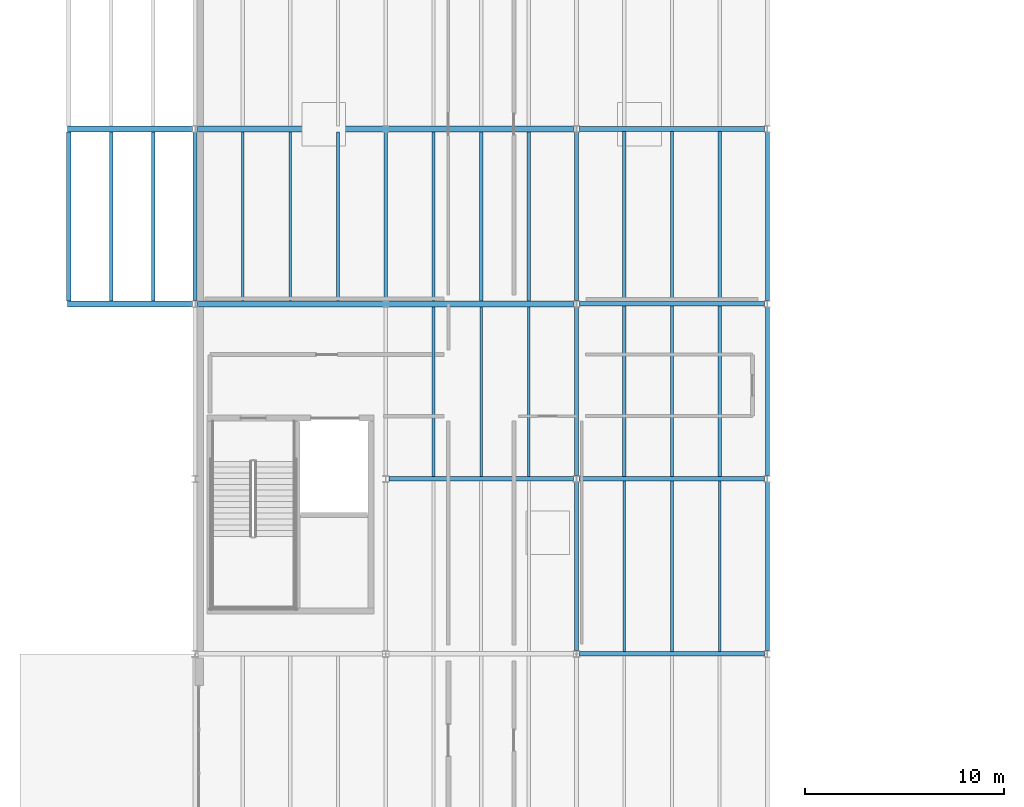
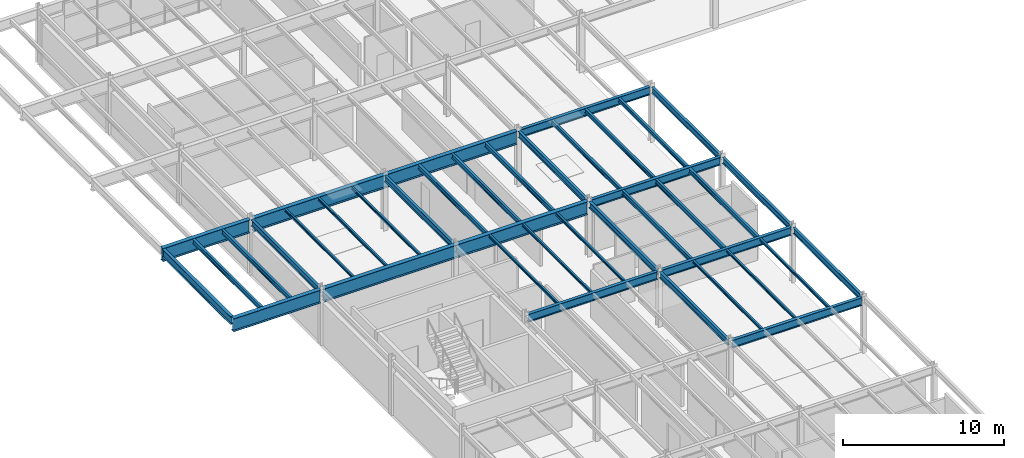
# One storey, part 22 of 77: 38 beams.
"""IFC4 building model written with IfcOpenShell, lengths in metres."""

from ifc_helpers import new_model, si_unit, direction, frame, origin, origin_2d, place, context, subcontext, project, spatial, i_section, extrude, material, material_profile, profile_set, type_object, element, save


model = new_model("IFC4")

# Units and contexts
model_context = context("Model", 3, precision=1e-05, world=origin(), true_north=direction((0.0, 1.0)))
body_context = subcontext(model_context, "Body", "Model", "MODEL_VIEW")
ifc_project = project(units=[si_unit("LENGTHUNIT", "METRE"), si_unit("AREAUNIT", "SQUARE_METRE"), si_unit("VOLUMEUNIT", "CUBIC_METRE"), si_unit("PLANEANGLEUNIT", "RADIAN"), si_unit("MASSUNIT", "GRAM", prefix="KILO")], contexts=[model_context])

# Site, building, storey
site_placement = place(None, origin())
site = spatial("IfcSite", under=ifc_project, at=site_placement, CompositionType="ELEMENT")
building_placement = place(site_placement, origin())
building = spatial("IfcBuilding", under=site, at=building_placement, Name="Sarnbrook Museum", CompositionType="ELEMENT")
storey_placement = place(building_placement, frame((0.0, 0.0, 5.60009765625)))
storey = spatial("IfcBuildingStorey", under=building, at=storey_placement, Name="L01", CompositionType="ELEMENT", Elevation=5.60009765625)

# Beams
ifc_material_1 = material(Name="Structural Steel Grade 300PLUS (AS/NZS 3679.1, fy = 280 MPa for 17 < t <= 40 mm, 300 MPa for t <= 17 mm)", Category="steel")
ifc_material_profile_1 = material_profile(ifc_material_1, i_section(OverallWidth=0.18994140625, OverallDepth=0.45703125, WebThickness=0.009033203125, FlangeThickness=0.014404296875, FilletRadius=0.011474609375, at=origin_2d()), Name="460UB74.6")
ifc_profile_set_1 = profile_set([ifc_material_profile_1], Name="Structural Steel Grade 300PLUS (AS/NZS 3679.1, fy = 280 MPa for 17 < t <= 40 mm, 300 MPa for t <= 17 mm)")
beam_type_1 = type_object("IfcBeamType", Name="BM-UB460", PredefinedType="BEAM", material=ifc_profile_set_1)
for number, where, z_axis, x_axis, name in (
    (1, (13.60009765625, 56.96337890625, 3.991455078125), (0.0, 1.0, 0.0), (-1.0, 0.0, 0.0), "Girder 2:G-H L01"),
    (2, (23.199951171875, 56.96337890625, 3.991455078125), (0.0, 1.0, 0.0), (-1.0, 0.0, 0.0), "Girder 3:G-H L01"),
):
    element("IfcBeam", number, at=place(storey_placement, frame(where, z_axis=z_axis, x_axis=x_axis)), inside=storey, type_object=beam_type_1, Name=name, PredefinedType="BEAM", context=body_context, shape_type="SweptSolid", body=[
        extrude(i_section(OverallWidth=0.18994140625, OverallDepth=0.45703125, WebThickness=0.009033203125, FlangeThickness=0.014404296875, FilletRadius=0.011474609375, at=origin_2d()), origin(), (0.0, 0.0, 1.0), 8.47314453125),
    ])
for number, where, z_axis, x_axis, name in (
    (3, (32.800048828125, 39.363525390625, 3.991455078125), (0.0, 1.0, 0.0), (-1.0, 0.0, 0.0), "Girder 4:E-F L01"),
    (4, (32.800048828125, 48.16357421875, 3.991455078125), (0.0, 1.0, 0.0), (-1.0, 0.0, 0.0), "Girder 4:F-G L01"),
):
    element("IfcBeam", number, at=place(storey_placement, frame(where, z_axis=z_axis, x_axis=x_axis)), inside=storey, type_object=beam_type_1, Name=name, PredefinedType="BEAM", context=body_context, shape_type="SweptSolid", body=[
        extrude(i_section(OverallWidth=0.18994140625, OverallDepth=0.45703125, WebThickness=0.009033203125, FlangeThickness=0.014404296875, FilletRadius=0.011474609375, at=origin_2d()), origin(), (0.0, 0.0, 1.0), 8.472900390625),
    ])
beam_1_placement = place(storey_placement, frame((32.800048828125, 56.96337890625, 3.991455078125), z_axis=(0.0, 1.0, 0.0), x_axis=(-1.0, 0.0, 0.0)))
element("IfcBeam", 5, at=beam_1_placement, inside=storey, type_object=beam_type_1, Name="Girder 4:G-H L01", PredefinedType="BEAM", context=body_context, shape_type="SweptSolid", body=[
    extrude(i_section(OverallWidth=0.18994140625, OverallDepth=0.45703125, WebThickness=0.009033203125, FlangeThickness=0.014404296875, FilletRadius=0.011474609375, at=origin_2d()), origin(), (0.0, 0.0, 1.0), 8.47314453125),
])
for number, where, z_axis, x_axis, name in (
    (6, (42.39990234375, 39.363525390625, 3.991455078125), (0.0, 1.0, 0.0), (-1.0, 0.0, 0.0), "Girder 5:E-F L01"),
    (7, (42.39990234375, 48.16357421875, 3.991455078125), (0.0, 1.0, 0.0), (-1.0, 0.0, 0.0), "Girder 5:F-G L01"),
):
    element("IfcBeam", number, at=place(storey_placement, frame(where, z_axis=z_axis, x_axis=x_axis)), inside=storey, type_object=beam_type_1, Name=name, PredefinedType="BEAM", context=body_context, shape_type="SweptSolid", body=[
        extrude(i_section(OverallWidth=0.18994140625, OverallDepth=0.45703125, WebThickness=0.009033203125, FlangeThickness=0.014404296875, FilletRadius=0.011474609375, at=origin_2d()), origin(), (0.0, 0.0, 1.0), 8.472900390625),
    ])
beam_2_placement = place(storey_placement, frame((42.39990234375, 56.96337890625, 3.991455078125), z_axis=(0.0, 1.0, 0.0), x_axis=(-1.0, 0.0, 0.0)))
element("IfcBeam", 8, at=beam_2_placement, inside=storey, type_object=beam_type_1, Name="Girder 5:G-H L01", PredefinedType="BEAM", context=body_context, shape_type="SweptSolid", body=[
    extrude(i_section(OverallWidth=0.18994140625, OverallDepth=0.45703125, WebThickness=0.009033203125, FlangeThickness=0.014404296875, FilletRadius=0.011474609375, at=origin_2d()), origin(), (0.0, 0.0, 1.0), 8.47314453125),
])
ifc_material_profile_2 = material_profile(ifc_material_1, i_section(OverallWidth=0.22802734375, OverallDepth=0.60693359375, WebThickness=0.01123046875, FlangeThickness=0.017333984375, FilletRadius=0.013916015625, at=origin_2d()), Name="610UB113")
ifc_profile_set_2 = profile_set([ifc_material_profile_2], Name="Structural Steel Grade 300PLUS (AS/NZS 3679.1, fy = 280 MPa for 17 < t <= 40 mm, 300 MPa for t <= 17 mm)")
beam_type_2 = type_object("IfcBeamType", Name="BM-UB610", PredefinedType="BEAM", material=ifc_profile_set_2)
beam_3_placement = place(storey_placement, frame((32.95556640625, 39.199951171875, 3.91650390625), z_axis=(1.0, 0.0, 0.0), x_axis=(0.0, 1.0, 0.0)))
element("IfcBeam", 9, at=beam_3_placement, inside=storey, type_object=beam_type_2, Name="Girder E:4-5 L01", PredefinedType="BEAM", context=body_context, shape_type="SweptSolid", body=[
    extrude(i_section(OverallWidth=0.22802734375, OverallDepth=0.60693359375, WebThickness=0.01123046875, FlangeThickness=0.017333984375, FilletRadius=0.013916015625, at=origin_2d()), origin(), (0.0, 0.0, 1.0), 9.288818359375),
])
beam_4_placement = place(storey_placement, frame((23.35546875, 48.0, 3.91650390625), z_axis=(1.0, 0.0, 0.0), x_axis=(0.0, 1.0, 0.0)))
element("IfcBeam", 10, at=beam_4_placement, inside=storey, type_object=beam_type_2, Name="Girder F:3-4 L01", PredefinedType="BEAM", context=body_context, shape_type="SweptSolid", body=[
    extrude(i_section(OverallWidth=0.22802734375, OverallDepth=0.60693359375, WebThickness=0.01123046875, FlangeThickness=0.017333984375, FilletRadius=0.013916015625, at=origin_2d()), origin(), (0.0, 0.0, 1.0), 9.2890625),
])
for number, where, z_axis, x_axis, name in (
    (11, (32.95556640625, 48.0, 3.91650390625), (1.0, 0.0, 0.0), (0.0, 1.0, 0.0), "Girder F:4-5 L01"),
    (12, (32.95556640625, 56.800048828125, 3.91650390625), (1.0, 0.0, 0.0), (0.0, 1.0, 0.0), "Girder G:4-5 L01"),
    (13, (32.95556640625, 65.60009765625, 3.91650390625), (1.0, 0.0, 0.0), (0.0, 1.0, 0.0), "Girder H:4-5 L01"),
):
    element("IfcBeam", number, at=place(storey_placement, frame(where, z_axis=z_axis, x_axis=x_axis)), inside=storey, type_object=beam_type_2, Name=name, PredefinedType="BEAM", context=body_context, shape_type="SweptSolid", body=[
        extrude(i_section(OverallWidth=0.22802734375, OverallDepth=0.60693359375, WebThickness=0.01123046875, FlangeThickness=0.017333984375, FilletRadius=0.013916015625, at=origin_2d()), origin(), (0.0, 0.0, 1.0), 9.288818359375),
    ])
beam_5_placement = place(storey_placement, frame((7.25, 56.949951171875, 3.91650390625), z_axis=(0.0, 1.0, 0.0), x_axis=(-1.0, 0.0, 0.0)))
element("IfcBeam", 14, at=beam_5_placement, inside=storey, type_object=beam_type_2, Name="Cantilever Gallery Joist L01 X=7.25", PredefinedType="BEAM", context=body_context, shape_type="SweptSolid", body=[
    extrude(i_section(OverallWidth=0.22802734375, OverallDepth=0.60693359375, WebThickness=0.01123046875, FlangeThickness=0.017333984375, FilletRadius=0.013916015625, at=origin_2d()), origin(), (0.0, 0.0, 1.0), 8.5),
])
ifc_material_profile_3 = material_profile(ifc_material_1, i_section(OverallWidth=0.134033203125, OverallDepth=0.20703125, WebThickness=0.00634765625, FlangeThickness=0.009521484375, FilletRadius=0.0087890625, at=origin_2d()), Name="200UB29.8")
ifc_profile_set_3 = profile_set([ifc_material_profile_3], Name="Structural Steel Grade 300PLUS (AS/NZS 3679.1, fy = 280 MPa for 17 < t <= 40 mm, 300 MPa for t <= 17 mm)")
beam_type_3 = type_object("IfcBeamType", Name="JS-UB200", PredefinedType="JOIST", material=ifc_profile_set_3)
for number, where, z_axis, x_axis, name in (
    (15, (16.0, 56.949951171875, 4.116455078125), (0.0, 1.0, 0.0), (-1.0, 0.0, 0.0), "Composite Floor Joist 2G-1 L01"),
    (16, (18.39990234375, 56.949951171875, 4.116455078125), (0.0, 1.0, 0.0), (-1.0, 0.0, 0.0), "Composite Floor Joist 2G-2 L01"),
    (17, (20.800048828125, 56.949951171875, 4.116455078125), (0.0, 1.0, 0.0), (-1.0, 0.0, 0.0), "Composite Floor Joist 2G-3 L01"),
):
    element("IfcBeam", number, at=place(storey_placement, frame(where, z_axis=z_axis, x_axis=x_axis)), inside=storey, type_object=beam_type_3, Name=name, PredefinedType="JOIST", context=body_context, shape_type="SweptSolid", body=[
        extrude(i_section(OverallWidth=0.134033203125, OverallDepth=0.20703125, WebThickness=0.00634765625, FlangeThickness=0.009521484375, FilletRadius=0.0087890625, at=origin_2d()), origin(), (0.0, 0.0, 1.0), 8.5),
    ])
for number, where, z_axis, x_axis, name in (
    (18, (25.60009765625, 48.114013671875, 4.116455078125), (0.0, 1.0, 0.0), (-1.0, 0.0, 0.0), "Composite Floor Joist 3F-1 L01"),
    (19, (28.0, 48.114013671875, 4.116455078125), (0.0, 1.0, 0.0), (-1.0, 0.0, 0.0), "Composite Floor Joist 3F-2 L01"),
    (20, (30.39990234375, 48.114013671875, 4.116455078125), (0.0, 1.0, 0.0), (-1.0, 0.0, 0.0), "Composite Floor Joist 3F-3 L01"),
):
    element("IfcBeam", number, at=place(storey_placement, frame(where, z_axis=z_axis, x_axis=x_axis)), inside=storey, type_object=beam_type_3, Name=name, PredefinedType="JOIST", context=body_context, shape_type="SweptSolid", body=[
        extrude(i_section(OverallWidth=0.134033203125, OverallDepth=0.20703125, WebThickness=0.00634765625, FlangeThickness=0.009521484375, FilletRadius=0.0087890625, at=origin_2d()), origin(), (0.0, 0.0, 1.0), 8.535888671875),
    ])
for number, where, z_axis, x_axis, name in (
    (21, (35.199951171875, 39.31396484375, 4.116455078125), (0.0, 1.0, 0.0), (-1.0, 0.0, 0.0), "Composite Floor Joist 4E-1 L01"),
    (22, (37.60009765625, 39.31396484375, 4.116455078125), (0.0, 1.0, 0.0), (-1.0, 0.0, 0.0), "Composite Floor Joist 4E-2 L01"),
    (23, (40.0, 39.31396484375, 4.116455078125), (0.0, 1.0, 0.0), (-1.0, 0.0, 0.0), "Composite Floor Joist 4E-3 L01"),
):
    element("IfcBeam", number, at=place(storey_placement, frame(where, z_axis=z_axis, x_axis=x_axis)), inside=storey, type_object=beam_type_3, Name=name, PredefinedType="JOIST", context=body_context, shape_type="SweptSolid", body=[
        extrude(i_section(OverallWidth=0.134033203125, OverallDepth=0.20703125, WebThickness=0.00634765625, FlangeThickness=0.009521484375, FilletRadius=0.0087890625, at=origin_2d()), origin(), (0.0, 0.0, 1.0), 8.572021484375),
    ])
ifc_material_profile_4 = material_profile(ifc_material_1, i_section(OverallWidth=0.166015625, OverallDepth=0.306884765625, WebThickness=0.006591796875, FlangeThickness=0.01171875, FilletRadius=0.011474609375, at=origin_2d()), Name="310UB46.2")
ifc_profile_set_4 = profile_set([ifc_material_profile_4], Name="Structural Steel Grade 300PLUS (AS/NZS 3679.1, fy = 280 MPa for 17 < t <= 40 mm, 300 MPa for t <= 17 mm)")
beam_type_4 = type_object("IfcBeamType", Name="JS-UB310H", PredefinedType="JOIST", material=ifc_profile_set_4)
for number, where, z_axis, x_axis, name in (
    (24, (35.199951171875, 56.9140625, 4.06640625), (0.0, 1.0, 0.0), (-1.0, 0.0, 0.0), "Composite Floor Joist 4G-1 L01"),
    (25, (37.60009765625, 56.9140625, 4.06640625), (0.0, 1.0, 0.0), (-1.0, 0.0, 0.0), "Composite Floor Joist 4G-2 L01"),
    (26, (40.0, 56.9140625, 4.06640625), (0.0, 1.0, 0.0), (-1.0, 0.0, 0.0), "Composite Floor Joist 4G-3 L01"),
):
    element("IfcBeam", number, at=place(storey_placement, frame(where, z_axis=z_axis, x_axis=x_axis)), inside=storey, type_object=beam_type_4, Name=name, PredefinedType="JOIST", context=body_context, shape_type="SweptSolid", body=[
        extrude(i_section(OverallWidth=0.166015625, OverallDepth=0.306884765625, WebThickness=0.006591796875, FlangeThickness=0.01171875, FilletRadius=0.011474609375, at=origin_2d()), origin(), (0.0, 0.0, 1.0), 8.572021484375),
    ])
ifc_material_profile_5 = material_profile(ifc_material_1, i_section(OverallWidth=0.1708984375, OverallDepth=0.35595703125, WebThickness=0.00732421875, FlangeThickness=0.011474609375, FilletRadius=0.011474609375, at=origin_2d()), Name="360UB50.7")
ifc_profile_set_5 = profile_set([ifc_material_profile_5], Name="Structural Steel Grade 300PLUS (AS/NZS 3679.1, fy = 280 MPa for 17 < t <= 40 mm, 300 MPa for t <= 17 mm)")
beam_type_5 = type_object("IfcBeamType", Name="JS-UB360", PredefinedType="JOIST", material=ifc_profile_set_5)
for number, where, z_axis, x_axis, name in (
    (27, (25.60009765625, 56.949951171875, 4.0419921875), (0.0, 1.0, 0.0), (-1.0, 0.0, 0.0), "Composite Floor Joist 3G-1 L01"),
    (28, (28.0, 56.949951171875, 4.0419921875), (0.0, 1.0, 0.0), (-1.0, 0.0, 0.0), "Composite Floor Joist 3G-2 L01"),
    (29, (30.39990234375, 56.949951171875, 4.0419921875), (0.0, 1.0, 0.0), (-1.0, 0.0, 0.0), "Composite Floor Joist 3G-3 L01"),
):
    element("IfcBeam", number, at=place(storey_placement, frame(where, z_axis=z_axis, x_axis=x_axis)), inside=storey, type_object=beam_type_5, Name=name, PredefinedType="JOIST", context=body_context, shape_type="SweptSolid", body=[
        extrude(i_section(OverallWidth=0.1708984375, OverallDepth=0.35595703125, WebThickness=0.00732421875, FlangeThickness=0.011474609375, FilletRadius=0.011474609375, at=origin_2d()), origin(), (0.0, 0.0, 1.0), 8.5),
    ])
for number, where, z_axis, x_axis, name in (
    (30, (35.199951171875, 48.114013671875, 4.0419921875), (0.0, 1.0, 0.0), (-1.0, 0.0, 0.0), "Composite Floor Joist 4F-1 L01"),
    (31, (37.60009765625, 48.114013671875, 4.0419921875), (0.0, 1.0, 0.0), (-1.0, 0.0, 0.0), "Composite Floor Joist 4F-2 L01"),
    (32, (40.0, 48.114013671875, 4.0419921875), (0.0, 1.0, 0.0), (-1.0, 0.0, 0.0), "Composite Floor Joist 4F-3 L01"),
):
    element("IfcBeam", number, at=place(storey_placement, frame(where, z_axis=z_axis, x_axis=x_axis)), inside=storey, type_object=beam_type_5, Name=name, PredefinedType="JOIST", context=body_context, shape_type="SweptSolid", body=[
        extrude(i_section(OverallWidth=0.1708984375, OverallDepth=0.35595703125, WebThickness=0.00732421875, FlangeThickness=0.011474609375, FilletRadius=0.011474609375, at=origin_2d()), origin(), (0.0, 0.0, 1.0), 8.572021484375),
    ])
for number, where, z_axis, x_axis, name in (
    (33, (9.39990234375, 56.949951171875, 4.0419921875), (0.0, 1.0, 0.0), (-1.0, 0.0, 0.0), "Cantilever Gallery Joist L01 X=9.4"),
    (34, (11.5, 56.949951171875, 4.0419921875), (0.0, 1.0, 0.0), (-1.0, 0.0, 0.0), "Cantilever Gallery Joist L01 X=11.5"),
):
    element("IfcBeam", number, at=place(storey_placement, frame(where, z_axis=z_axis, x_axis=x_axis)), inside=storey, type_object=beam_type_5, Name=name, PredefinedType="JOIST", context=body_context, shape_type="SweptSolid", body=[
        extrude(i_section(OverallWidth=0.1708984375, OverallDepth=0.35595703125, WebThickness=0.00732421875, FlangeThickness=0.011474609375, FilletRadius=0.011474609375, at=origin_2d()), origin(), (0.0, 0.0, 1.0), 8.5),
    ])
ifc_material_2 = material(Name="Structural Steel Grade 350L0 (AS/NZS 3678, fy = 340 MPa for 20 < t <= 40 mm)", Category="steel")
ifc_material_profile_6 = material_profile(ifc_material_2, i_section(OverallWidth=0.300048828125, OverallDepth=1.0, WebThickness=0.01611328125, FlangeThickness=0.02490234375, at=origin_2d()), Name="1000WB215")
ifc_profile_set_6 = profile_set([ifc_material_profile_6], Name="Structural Steel Grade 350L0 (AS/NZS 3678, fy = 340 MPa for 20 < t <= 40 mm)")
beam_type_6 = type_object("IfcBeamType", Name="TT-CHORD", PredefinedType="BEAM", material=ifc_profile_set_6)
beam_6_placement = place(storey_placement, frame((32.679931640625, 56.800048828125, 3.719970703125), z_axis=(-1.0, 0.0, 0.0), x_axis=(0.0, -1.0, 0.0)))
element("IfcBeam", 35, at=beam_6_placement, inside=storey, type_object=beam_type_6, Name="Cantilever Transfer Truss TT1 Bottom Back-Span Chord", PredefinedType="BEAM", context=body_context, shape_type="SweptSolid", body=[
    extrude(i_section(OverallWidth=0.300048828125, OverallDepth=1.0, WebThickness=0.01611328125, FlangeThickness=0.02490234375, at=origin_2d()), origin(), (0.0, 0.0, 1.0), 18.9599609375),
])
beam_7_placement = place(storey_placement, frame((13.47998046875, 56.800048828125, 3.719970703125), z_axis=(-1.0, 0.0, 0.0), x_axis=(0.0, -1.0, 0.0)))
element("IfcBeam", 36, at=beam_7_placement, inside=storey, type_object=beam_type_6, Name="Cantilever Transfer Truss TT1 Bottom Chord", PredefinedType="BEAM", context=body_context, shape_type="SweptSolid", body=[
    extrude(i_section(OverallWidth=0.300048828125, OverallDepth=1.0, WebThickness=0.01611328125, FlangeThickness=0.02490234375, at=origin_2d()), origin(), (0.0, 0.0, 1.0), 6.280029296875),
])
beam_8_placement = place(storey_placement, frame((32.679931640625, 65.60009765625, 3.719970703125), z_axis=(-1.0, 0.0, 0.0), x_axis=(0.0, -1.0, 0.0)))
element("IfcBeam", 37, at=beam_8_placement, inside=storey, type_object=beam_type_6, Name="Cantilever Transfer Truss TT2 Bottom Back-Span Chord", PredefinedType="BEAM", context=body_context, shape_type="SweptSolid", body=[
    extrude(i_section(OverallWidth=0.300048828125, OverallDepth=1.0, WebThickness=0.01611328125, FlangeThickness=0.02490234375, at=origin_2d()), origin(), (0.0, 0.0, 1.0), 18.9599609375),
])
beam_9_placement = place(storey_placement, frame((13.47998046875, 65.60009765625, 3.719970703125), z_axis=(-1.0, 0.0, 0.0), x_axis=(0.0, -1.0, 0.0)))
element("IfcBeam", 38, at=beam_9_placement, inside=storey, type_object=beam_type_6, Name="Cantilever Transfer Truss TT2 Bottom Chord", PredefinedType="BEAM", context=body_context, shape_type="SweptSolid", body=[
    extrude(i_section(OverallWidth=0.300048828125, OverallDepth=1.0, WebThickness=0.01611328125, FlangeThickness=0.02490234375, at=origin_2d()), origin(), (0.0, 0.0, 1.0), 6.280029296875),
])

save(model, "model.ifc")
